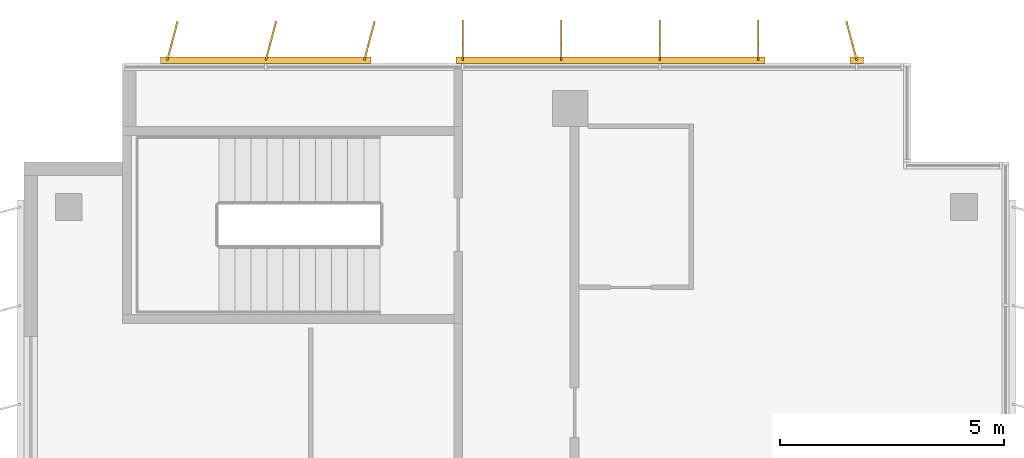
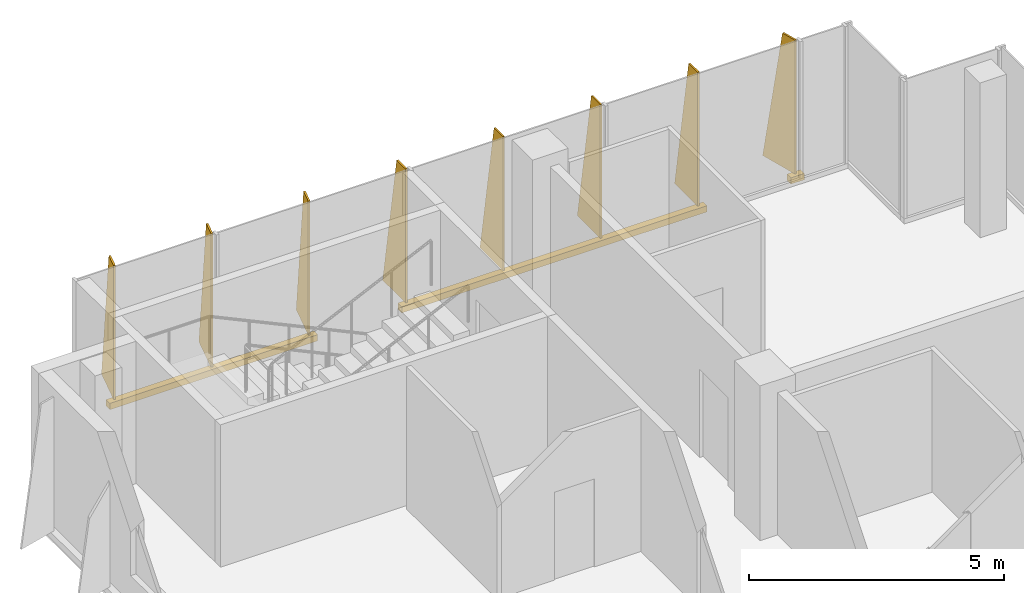
# One storey, part 15 of 15: 3 shading devices.
"""IFC4 building model written with IfcOpenShell, lengths in metres."""

from ifc_helpers import new_model, si_unit, direction, frame, origin, origin_2d, place, context, subcontext, project, spatial, polyline, rectangle, outline, extrude, source, transform, mapped, material, layer, layer_set, type_object, element, save


model = new_model("IFC4")

# Units and contexts
model_context = context("Model", 3, precision=1e-05, world=origin(), true_north=direction((0.0, 1.0)))
body_context = subcontext(model_context, "Body", "Model", "MODEL_VIEW")
ifc_project = project(units=[si_unit("LENGTHUNIT", "METRE"), si_unit("AREAUNIT", "SQUARE_METRE"), si_unit("VOLUMEUNIT", "CUBIC_METRE"), si_unit("PLANEANGLEUNIT", "RADIAN"), si_unit("MASSUNIT", "GRAM", prefix="KILO")], contexts=[model_context])

# Site, building, storey
site_placement = place(None, origin())
site = spatial("IfcSite", under=ifc_project, at=site_placement, CompositionType="ELEMENT")
building_placement = place(site_placement, origin())
building = spatial("IfcBuilding", under=site, at=building_placement, Name="Kemantara Hotel Tower", CompositionType="ELEMENT")
storey_placement = place(building_placement, frame((0.0, 0.0, 298.10009765625)))
storey = spatial("IfcBuildingStorey", under=building, at=storey_placement, Name="L75", CompositionType="ELEMENT", Elevation=298.10009765625)

# Shading devices
ifc_material = material(Name="Perforated aluminium plate 4 mm bronze anodised", Category="aluminium")
ifc_layer_1 = layer(ifc_material, 0.0400390625)
ifc_layer_set_1 = layer_set([ifc_layer_1], Name="Perforated aluminium plate 4 mm bronze anodised")
shading_device_type_1 = type_object("IfcShadingDeviceType", Name="SCREEN FIN CASSETTE, 3 BLADES AT -15.0 DEG, 3200 HIGH", PredefinedType="USERDEFINED", material=ifc_layer_set_1)
shared_shape_1 = source(origin(), body_context, "Body", "SweptSolid", [
    extrude(rectangle(XDim=4.699951171875, YDim=0.14990234375, at=origin_2d()), frame((2.199951171875, -0.074951171875, -0.14990234375), z_axis=(0.0, 0.0, 1.0), x_axis=(1.0, 0.0, 0.0)), (0.0, 0.0, 1.0), 0.14990234375),
    extrude(outline(polyline([(0.0, 0.0), (0.89990234375, 0.0), (0.35009765625, 3.199951171875), (0.0, 3.199951171875), (0.0, 0.0)])), frame((0.019287109375, -0.080078125, 0.0), z_axis=(-0.966437683387, 0.256901156343, 0.0), x_axis=(-0.256901156343, -0.966437683387, 0.0)), (0.0, 0.0, 1.0), 0.039794921875),
    extrude(outline(polyline([(0.0, 0.0), (0.89990234375, 0.0), (0.35009765625, 3.199951171875), (0.0, 3.199951171875), (0.0, 0.0)])), frame((2.21923828125, -0.080078125, 0.0), z_axis=(-0.966437683387, 0.256901156343, 0.0), x_axis=(-0.256901156343, -0.966437683387, 0.0)), (0.0, 0.0, 1.0), 0.039794921875),
    extrude(outline(polyline([(0.0, 0.0), (0.89990234375, 0.0), (0.35009765625, 3.199951171875), (0.0, 3.199951171875), (0.0, 0.0)])), frame((4.41943359375, -0.080078125, 0.0), z_axis=(-0.966837822169, 0.255391122837, 0.0), x_axis=(-0.255391122837, -0.966837822169, 0.0)), (0.0, 0.0, 1.0), 0.0400390625),
])
shading_device_1_placement = place(storey_placement, frame((7.60009765625, 63.60009765625, 0.099853515625), z_axis=(0.0, 0.0, 1.0), x_axis=(-1.0, 0.0, 0.0)))
element("IfcShadingDevice", 1, at=shading_device_1_placement, inside=storey, type_object=shading_device_type_1, Name="SCREEN FIN CASSETTE L75 T4-R02-3", ObjectType="SCREEN FIN", PredefinedType="USERDEFINED", context=body_context, shape_type="MappedRepresentation", body=[
    mapped(shared_shape_1, transform((0.0, 0.0, 0.0))),
])
ifc_layer_2 = layer(ifc_material, 0.0400390625)
ifc_layer_set_2 = layer_set([ifc_layer_2], Name="Perforated aluminium plate 4 mm bronze anodised")
shading_device_type_2 = type_object("IfcShadingDeviceType", Name="SCREEN FIN CASSETTE, 4 BLADES AT +0.0 DEG, 3200 HIGH", PredefinedType="USERDEFINED", material=ifc_layer_set_2)
shared_shape_2 = source(origin(), body_context, "Body", "SweptSolid", [
    extrude(rectangle(XDim=6.89990234375, YDim=0.14990234375, at=origin_2d()), frame((3.300048828125, -0.074951171875, -0.14990234375), z_axis=(0.0, 0.0, 1.0), x_axis=(1.0, 0.0, 0.0)), (0.0, 0.0, 1.0), 0.14990234375),
    extrude(outline(polyline([(0.0, 0.0), (0.89990234375, 0.0), (0.35009765625, 3.199951171875), (0.0, 3.199951171875), (0.0, 0.0)])), frame((0.02001953125, -0.074951171875, 0.0), z_axis=(-1.0, 0.0, 0.0), x_axis=(0.0, -1.0, 0.0)), (0.0, 0.0, 1.0), 0.0400390625),
    extrude(outline(polyline([(0.0, 0.0), (0.89990234375, 0.0), (0.35009765625, 3.199951171875), (0.0, 3.199951171875), (0.0, 0.0)])), frame((2.219970703125, -0.074951171875, 0.0), z_axis=(-1.0, 0.0, 0.0), x_axis=(0.0, -1.0, 0.0)), (0.0, 0.0, 1.0), 0.0400390625),
    extrude(outline(polyline([(0.0, 0.0), (0.89990234375, 0.0), (0.35009765625, 3.199951171875), (0.0, 3.199951171875), (0.0, 0.0)])), frame((4.419921875, -0.074951171875, 0.0), z_axis=(-1.0, 0.0, 0.0), x_axis=(0.0, -1.0, 0.0)), (0.0, 0.0, 1.0), 0.0400390625),
    extrude(outline(polyline([(0.0, 0.0), (0.89990234375, 0.0), (0.35009765625, 3.199951171875), (0.0, 3.199951171875), (0.0, 0.0)])), frame((6.6201171875, -0.074951171875, 0.0), z_axis=(-1.0, 0.0, 0.0), x_axis=(0.0, -1.0, 0.0)), (0.0, 0.0, 1.0), 0.0400390625),
])
shading_device_2_placement = place(storey_placement, frame((16.39990234375, 63.60009765625, 0.099853515625), z_axis=(0.0, 0.0, 1.0), x_axis=(-1.0, 0.0, 0.0)))
element("IfcShadingDevice", 2, at=shading_device_2_placement, inside=storey, type_object=shading_device_type_2, Name="SCREEN FIN CASSETTE L75 T4-R02-2", ObjectType="SCREEN FIN", PredefinedType="USERDEFINED", context=body_context, shape_type="MappedRepresentation", body=[
    mapped(shared_shape_2, transform((0.0, 0.0, 0.0))),
])
ifc_layer_3 = layer(ifc_material, 0.0400390625)
ifc_layer_set_3 = layer_set([ifc_layer_3], Name="Perforated aluminium plate 4 mm bronze anodised")
shading_device_type_3 = type_object("IfcShadingDeviceType", Name="SCREEN FIN CASSETTE, 1 BLADE AT +15.0 DEG, 3200 HIGH", PredefinedType="USERDEFINED", material=ifc_layer_set_3)
shared_shape_3 = source(origin(), body_context, "Body", "SweptSolid", [
    extrude(rectangle(XDim=0.300048828125, YDim=0.14990234375, at=origin_2d()), frame((0.0, -0.074951171875, -0.14990234375), z_axis=(0.0, 0.0, 1.0), x_axis=(1.0, 0.0, 0.0)), (0.0, 0.0, 1.0), 0.14990234375),
    extrude(outline(polyline([(0.0, 0.0), (0.89990234375, 0.0), (0.35009765625, 3.199951171875), (0.0, 3.199951171875), (0.0, 0.0)])), frame((0.019287109375, -0.06982421875, 0.0), z_axis=(-0.966437683387, -0.256901156343, 0.0), x_axis=(0.256901156343, -0.966437683387, 0.0)), (0.0, 0.0, 1.0), 0.039794921875),
])
shading_device_3_placement = place(storey_placement, frame((18.60009765625, 63.60009765625, 0.099853515625), z_axis=(0.0, 0.0, 1.0), x_axis=(-1.0, 0.0, 0.0)))
element("IfcShadingDevice", 3, at=shading_device_3_placement, inside=storey, type_object=shading_device_type_3, Name="SCREEN FIN CASSETTE L75 T4-R02-1", ObjectType="SCREEN FIN", PredefinedType="USERDEFINED", context=body_context, shape_type="MappedRepresentation", body=[
    mapped(shared_shape_3, transform((0.0, 0.0, 0.0))),
])

save(model, "model.ifc")
